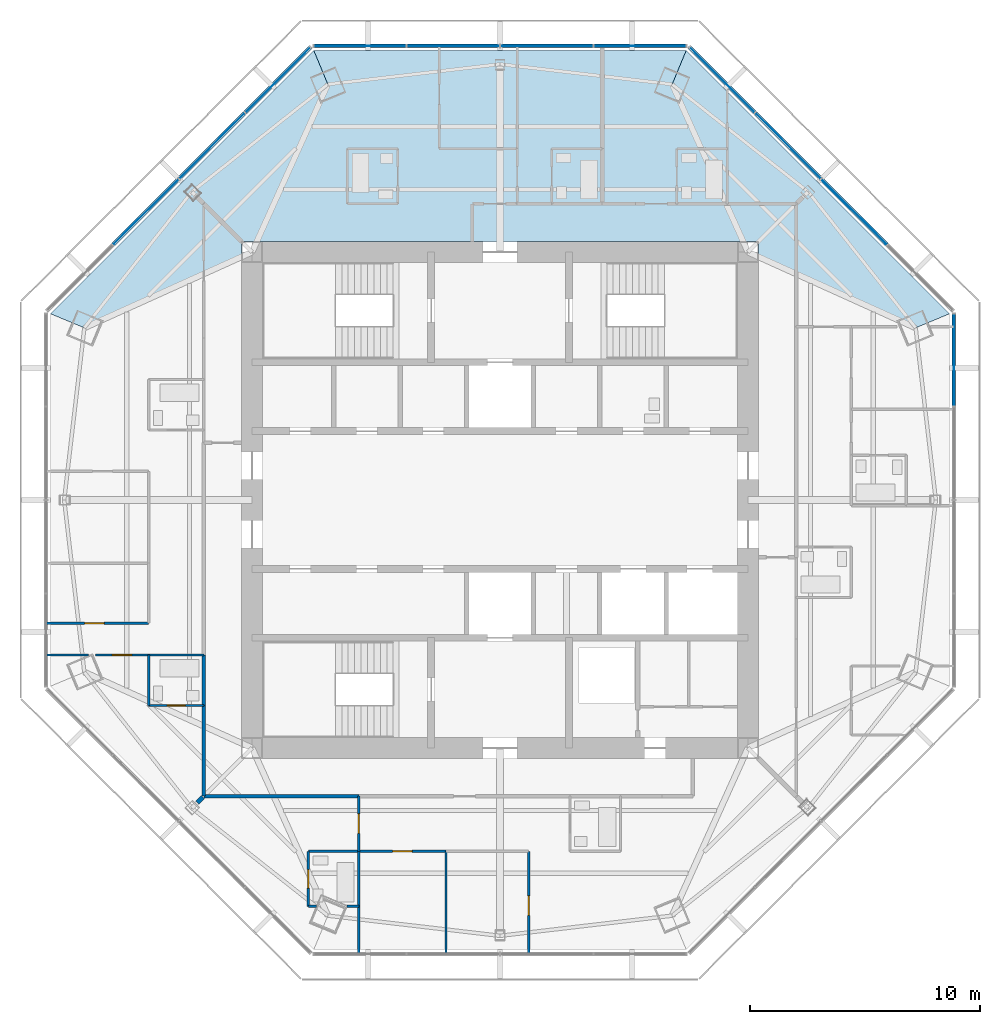
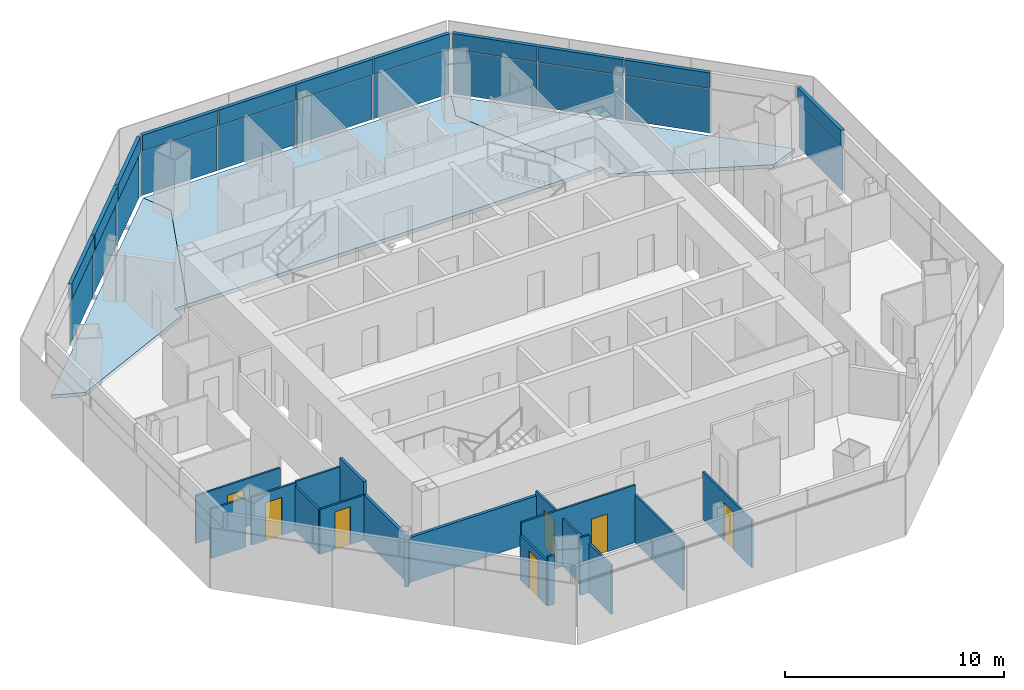
# One storey, part 8 of 15: 22 plates, 19 walls, 7 doors, 3 slabs, 7 openings, 4 elements without a shape of their own.
"""IFC4 building model written with IfcOpenShell, lengths in metres."""

from ifc_helpers import new_model, si_unit, direction, frame, frame_2d, origin, origin_2d, place, context, subcontext, project, spatial, polyline, rectangle, outline, extrude, source, transform, mapped, material, layer, layer_set, type_object, type_shapes, element, fill, aggregate, save


model = new_model("IFC4")

# Units and contexts
model_context = context("Model", 3, precision=1e-05, world=origin(), true_north=direction((0.0, 1.0)))
body_context = subcontext(model_context, "Body", "Model", "MODEL_VIEW")
ifc_project = project(units=[si_unit("LENGTHUNIT", "METRE"), si_unit("AREAUNIT", "SQUARE_METRE"), si_unit("VOLUMEUNIT", "CUBIC_METRE"), si_unit("PLANEANGLEUNIT", "RADIAN"), si_unit("MASSUNIT", "GRAM", prefix="KILO")], contexts=[model_context])

# Site, building, storey
site_placement = place(None, origin())
site = spatial("IfcSite", under=ifc_project, at=site_placement, CompositionType="ELEMENT")
building_placement = place(site_placement, origin())
building = spatial("IfcBuilding", under=site, at=building_placement, Name="Mashrafa Tower", CompositionType="ELEMENT")
storey_placement = place(building_placement, frame((0.0, 0.0, 291.199951171875)))
storey = spatial("IfcBuildingStorey", under=building, at=storey_placement, Name="L71", CompositionType="ELEMENT", Elevation=291.199951171875)

# Slabs
ifc_material_1 = material(Name="Concrete C35/45", Category="concrete")
ifc_layer_1 = layer(ifc_material_1, 0.199951171875)
ifc_layer_set_1 = layer_set([ifc_layer_1], Name="Floor slab 200")
slab_type = type_object("IfcSlabType", Name="Floor slab 200", PredefinedType="FLOOR", material=ifc_layer_set_1)
slab_1_placement = place(storey_placement, frame((0.0, 0.0, -0.199951171875)))
element("IfcSlab", 1, at=slab_1_placement, inside=storey, type_object=slab_type, Name="Floor slab L71 north-east bay", PredefinedType="FLOOR", context=body_context, shape_type="SweptSolid", body=[
    extrude(outline(polyline([(8.109130859375, 19.5771484375), (19.5771484375, 8.109130859375), (19.5771484375, 8.109130859375), (18.1044921875, 7.4990234375), (11.25, 10.5966796875), (11.25, 11.25), (10.5966796875, 11.25), (7.4990234375, 18.1044921875), (8.109130859375, 19.5771484375), (8.109130859375, 19.5771484375)])), origin(), (0.0, 0.0, 1.0), 0.199951171875),
])
slab_2_placement = place(storey_placement, frame((0.0, 0.0, -0.199951171875)))
element("IfcSlab", 2, at=slab_2_placement, inside=storey, type_object=slab_type, Name="Floor slab L71 north bay", PredefinedType="FLOOR", context=body_context, shape_type="SweptSolid", body=[
    extrude(outline(polyline([(8.109130859375, 19.5771484375), (7.4990234375, 18.1044921875), (10.5966796875, 11.25), (-10.5966796875, 11.25), (-7.4990234375, 18.1044921875), (-8.109130859375, 19.5771484375), (8.109130859375, 19.5771484375)])), origin(), (0.0, 0.0, 1.0), 0.199951171875),
])
slab_3_placement = place(storey_placement, frame((0.0, 0.0, -0.199951171875)))
element("IfcSlab", 3, at=slab_3_placement, inside=storey, type_object=slab_type, Name="Floor slab L71 north-west bay", PredefinedType="FLOOR", context=body_context, shape_type="SweptSolid", body=[
    extrude(outline(polyline([(-19.5771484375, 8.109130859375), (-8.109130859375, 19.5771484375), (-8.109130859375, 19.5771484375), (-7.4990234375, 18.1044921875), (-10.5966796875, 11.25), (-11.25, 11.25), (-11.25, 10.5966796875), (-18.1044921875, 7.4990234375), (-19.5771484375, 8.109130859375), (-19.5771484375, 8.109130859375)])), origin(), (0.0, 0.0, 1.0), 0.199951171875),
])

# Curtain wall, plate
ifc_material_2 = material(Name="Unitised aluminium curtain wall", Category="aluminium")
curtain_wall_type = type_object("IfcCurtainWallType", Name="Apartment curtain wall, zone 4 CW-D 160 deep", PredefinedType="NOTDEFINED", material=ifc_material_2)
curtain_wall_1_placement = place(storey_placement, origin())
curtain_wall_1 = element("IfcCurtainWall", 4, at=curtain_wall_1_placement, inside=storey, type_object=curtain_wall_type, Name="Apartment curtain wall, zone 4 L71 east", PredefinedType="NOTDEFINED")
ifc_material_3 = material(Name="Insulated double glazing, acoustic", Category="glass")
ifc_layer_2 = layer(ifc_material_3, 0.028076171875)
ifc_layer_set_2 = layer_set([ifc_layer_2], Name="Vision panel CW-D 28")
plate_type_1 = type_object("IfcPlateType", Name="Vision panel CW-D 28", PredefinedType="CURTAIN_PANEL", material=ifc_layer_set_2)
shared_shape_1 = source(origin(), body_context, "Body", "SweptSolid", [
    extrude(rectangle(XDim=3.984375, YDim=0.028076171875, at=origin_2d()), origin(), (0.0, 0.0, 1.0), 2.46240234375),
])
plate_1_placement = place(storey_placement, frame((19.777099609375, 6.0966796875, 0.0), z_axis=(0.0, 0.0, 1.0), x_axis=(0.0, 1.0, 0.0)))
plate_1 = element("IfcPlate", 5, at=plate_1_placement, type_object=plate_type_1, Name="CW-D vision panel 4", PredefinedType="CURTAIN_PANEL", context=body_context, shape_type="MappedRepresentation", body=[
    mapped(shared_shape_1, transform((0.0, 0.0, 0.0))),
])

curtain_wall_2_placement = place(storey_placement, origin())
curtain_wall_2 = element("IfcCurtainWall", 6, at=curtain_wall_2_placement, inside=storey, type_object=curtain_wall_type, Name="Apartment curtain wall, zone 4 L71 north-east", PredefinedType="NOTDEFINED")
plate_2_placement = place(storey_placement, frame((9.673583984375, 18.29541015625, 0.0), z_axis=(0.0, 0.0, 1.0), x_axis=(-0.707106781187, 0.707106781187, 0.0)))
plate_2 = element("IfcPlate", 7, at=plate_2_placement, type_object=plate_type_1, Name="CW-D vision panel 4", PredefinedType="CURTAIN_PANEL", context=body_context, shape_type="MappedRepresentation", body=[
    mapped(shared_shape_1, transform((0.0, 0.0, 0.0))),
])

# Curtain wall, plates
curtain_wall_3_placement = place(storey_placement, origin())
curtain_wall_3 = element("IfcCurtainWall", 8, at=curtain_wall_3_placement, inside=storey, type_object=curtain_wall_type, Name="Apartment curtain wall, zone 4 L71 north", PredefinedType="NOTDEFINED")
plate_3_placement = place(storey_placement, frame((6.0966796875, 19.777099609375, 0.0), z_axis=(0.0, 0.0, 1.0), x_axis=(-1.0, 0.0, 0.0)))
plate_3 = element("IfcPlate", 9, at=plate_3_placement, type_object=plate_type_1, Name="CW-D vision panel 1", PredefinedType="CURTAIN_PANEL", context=body_context, shape_type="MappedRepresentation", body=[
    mapped(shared_shape_1, transform((0.0, 0.0, 0.0))),
])
plate_4_placement = place(storey_placement, frame((-6.0966796875, 19.777099609375, 0.0), z_axis=(0.0, 0.0, 1.0), x_axis=(-1.0, 0.0, 0.0)))
plate_4 = element("IfcPlate", 10, at=plate_4_placement, type_object=plate_type_1, Name="CW-D vision panel 4", PredefinedType="CURTAIN_PANEL", context=body_context, shape_type="MappedRepresentation", body=[
    mapped(shared_shape_1, transform((0.0, 0.0, 0.0))),
])

# Curtain wall, plate
curtain_wall_4_placement = place(storey_placement, origin())
curtain_wall_4 = element("IfcCurtainWall", 11, at=curtain_wall_4_placement, inside=storey, type_object=curtain_wall_type, Name="Apartment curtain wall, zone 4 L71 north-west", PredefinedType="NOTDEFINED")
plate_5_placement = place(storey_placement, frame((-9.673583984375, 18.29541015625, 0.0), z_axis=(0.0, 0.0, 1.0), x_axis=(-0.707106781187, -0.707106781187, 0.0)))
plate_5 = element("IfcPlate", 12, at=plate_5_placement, type_object=plate_type_1, Name="CW-D vision panel 1", PredefinedType="CURTAIN_PANEL", context=body_context, shape_type="MappedRepresentation", body=[
    mapped(shared_shape_1, transform((0.0, 0.0, 0.0))),
])

# Plate
ifc_material_4 = material(Name="Insulated bronze aluminium spandrel panel", Category="aluminium")
ifc_layer_3 = layer(ifc_material_4, 0.179931640625)
ifc_layer_set_3 = layer_set([ifc_layer_3], Name="Spandrel panel CW-D 180")
plate_type_2 = type_object("IfcPlateType", Name="Spandrel panel CW-D 180", PredefinedType="CURTAIN_PANEL", material=ifc_layer_set_3)
shared_shape_2 = source(origin(), body_context, "Body", "SweptSolid", [
    extrude(rectangle(XDim=3.984375, YDim=0.179931640625, at=origin_2d()), origin(), (0.0, 0.0, 1.0), 0.862548828125),
])
plate_6_placement = place(storey_placement, frame((19.777099609375, 6.0966796875, 2.53759765625), z_axis=(0.0, 0.0, 1.0), x_axis=(0.0, 1.0, 0.0)))
plate_6 = element("IfcPlate", 13, at=plate_6_placement, type_object=plate_type_2, Name="CW-D spandrel panel 4", PredefinedType="CURTAIN_PANEL", context=body_context, shape_type="MappedRepresentation", body=[
    mapped(shared_shape_2, transform((0.0, 0.0, 0.0))),
])

aggregate(curtain_wall_1, [plate_1, plate_6])

plate_7_placement = place(storey_placement, frame((9.673583984375, 18.29541015625, 2.53759765625), z_axis=(0.0, 0.0, 1.0), x_axis=(-0.707106781187, 0.707106781187, 0.0)))
plate_7 = element("IfcPlate", 14, at=plate_7_placement, type_object=plate_type_2, Name="CW-D spandrel panel 4", PredefinedType="CURTAIN_PANEL", context=body_context, shape_type="MappedRepresentation", body=[
    mapped(shared_shape_2, transform((0.0, 0.0, 0.0))),
])

plate_8_placement = place(storey_placement, frame((6.0966796875, 19.777099609375, 2.53759765625), z_axis=(0.0, 0.0, 1.0), x_axis=(-1.0, 0.0, 0.0)))
plate_8 = element("IfcPlate", 15, at=plate_8_placement, type_object=plate_type_2, Name="CW-D spandrel panel 1", PredefinedType="CURTAIN_PANEL", context=body_context, shape_type="MappedRepresentation", body=[
    mapped(shared_shape_2, transform((0.0, 0.0, 0.0))),
])

plate_9_placement = place(storey_placement, frame((-6.0966796875, 19.777099609375, 2.53759765625), z_axis=(0.0, 0.0, 1.0), x_axis=(-1.0, 0.0, 0.0)))
plate_9 = element("IfcPlate", 16, at=plate_9_placement, type_object=plate_type_2, Name="CW-D spandrel panel 4", PredefinedType="CURTAIN_PANEL", context=body_context, shape_type="MappedRepresentation", body=[
    mapped(shared_shape_2, transform((0.0, 0.0, 0.0))),
])

plate_10_placement = place(storey_placement, frame((-9.673583984375, 18.29541015625, 2.53759765625), z_axis=(0.0, 0.0, 1.0), x_axis=(-0.707106781187, -0.707106781187, 0.0)))
plate_10 = element("IfcPlate", 17, at=plate_10_placement, type_object=plate_type_2, Name="CW-D spandrel panel 1", PredefinedType="CURTAIN_PANEL", context=body_context, shape_type="MappedRepresentation", body=[
    mapped(shared_shape_2, transform((0.0, 0.0, 0.0))),
])

shared_shape_3 = source(origin(), body_context, "Body", "SweptSolid", [
    extrude(rectangle(XDim=4.014404296875, YDim=0.028076171875, at=origin_2d()), origin(), (0.0, 0.0, 1.0), 2.46240234375),
])
type_shapes(plate_type_1, [shared_shape_1, shared_shape_3])
plate_11_placement = place(storey_placement, frame((15.425048828125, 12.5439453125, 0.0), z_axis=(0.0, 0.0, 1.0), x_axis=(-0.707106781187, 0.707106781187, 0.0)))
plate_11 = element("IfcPlate", 18, at=plate_11_placement, type_object=plate_type_1, Name="CW-D vision panel 2", PredefinedType="CURTAIN_PANEL", context=body_context, shape_type="MappedRepresentation", body=[
    mapped(shared_shape_3, transform((0.0, 0.0, 0.0))),
])

plate_12_placement = place(storey_placement, frame((12.5439453125, 15.425048828125, 0.0), z_axis=(0.0, 0.0, 1.0), x_axis=(-0.707106781187, 0.707106781187, 0.0)))
plate_12 = element("IfcPlate", 19, at=plate_12_placement, type_object=plate_type_1, Name="CW-D vision panel 3", PredefinedType="CURTAIN_PANEL", context=body_context, shape_type="MappedRepresentation", body=[
    mapped(shared_shape_3, transform((0.0, 0.0, 0.0))),
])

plate_13_placement = place(storey_placement, frame((2.037109375, 19.777099609375, 0.0), z_axis=(0.0, 0.0, 1.0), x_axis=(-1.0, 0.0, 0.0)))
plate_13 = element("IfcPlate", 20, at=plate_13_placement, type_object=plate_type_1, Name="CW-D vision panel 2", PredefinedType="CURTAIN_PANEL", context=body_context, shape_type="MappedRepresentation", body=[
    mapped(shared_shape_3, transform((0.0, 0.0, 0.0))),
])

plate_14_placement = place(storey_placement, frame((-2.037109375, 19.777099609375, 0.0), z_axis=(0.0, 0.0, 1.0), x_axis=(-1.0, 0.0, 0.0)))
plate_14 = element("IfcPlate", 21, at=plate_14_placement, type_object=plate_type_1, Name="CW-D vision panel 3", PredefinedType="CURTAIN_PANEL", context=body_context, shape_type="MappedRepresentation", body=[
    mapped(shared_shape_3, transform((0.0, 0.0, 0.0))),
])

plate_15_placement = place(storey_placement, frame((-12.5439453125, 15.425048828125, 0.0), z_axis=(0.0, 0.0, 1.0), x_axis=(-0.707106781187, -0.707106781187, 0.0)))
plate_15 = element("IfcPlate", 22, at=plate_15_placement, type_object=plate_type_1, Name="CW-D vision panel 2", PredefinedType="CURTAIN_PANEL", context=body_context, shape_type="MappedRepresentation", body=[
    mapped(shared_shape_3, transform((0.0, 0.0, 0.0))),
])

plate_16_placement = place(storey_placement, frame((-15.425048828125, 12.5439453125, 0.0), z_axis=(0.0, 0.0, 1.0), x_axis=(-0.707106781187, -0.707106781187, 0.0)))
plate_16 = element("IfcPlate", 23, at=plate_16_placement, type_object=plate_type_1, Name="CW-D vision panel 3", PredefinedType="CURTAIN_PANEL", context=body_context, shape_type="MappedRepresentation", body=[
    mapped(shared_shape_3, transform((0.0, 0.0, 0.0))),
])

shared_shape_4 = source(origin(), body_context, "Body", "SweptSolid", [
    extrude(rectangle(XDim=4.014404296875, YDim=0.179931640625, at=origin_2d()), origin(), (0.0, 0.0, 1.0), 0.862548828125),
])
type_shapes(plate_type_2, [shared_shape_2, shared_shape_4])
plate_17_placement = place(storey_placement, frame((15.425048828125, 12.5439453125, 2.53759765625), z_axis=(0.0, 0.0, 1.0), x_axis=(-0.707106781187, 0.707106781187, 0.0)))
plate_17 = element("IfcPlate", 24, at=plate_17_placement, type_object=plate_type_2, Name="CW-D spandrel panel 2", PredefinedType="CURTAIN_PANEL", context=body_context, shape_type="MappedRepresentation", body=[
    mapped(shared_shape_4, transform((0.0, 0.0, 0.0))),
])

plate_18_placement = place(storey_placement, frame((12.5439453125, 15.425048828125, 2.53759765625), z_axis=(0.0, 0.0, 1.0), x_axis=(-0.707106781187, 0.707106781187, 0.0)))
plate_18 = element("IfcPlate", 25, at=plate_18_placement, type_object=plate_type_2, Name="CW-D spandrel panel 3", PredefinedType="CURTAIN_PANEL", context=body_context, shape_type="MappedRepresentation", body=[
    mapped(shared_shape_4, transform((0.0, 0.0, 0.0))),
])

aggregate(curtain_wall_2, [plate_11, plate_17, plate_12, plate_18, plate_2, plate_7])

plate_19_placement = place(storey_placement, frame((2.037109375, 19.777099609375, 2.53759765625), z_axis=(0.0, 0.0, 1.0), x_axis=(-1.0, 0.0, 0.0)))
plate_19 = element("IfcPlate", 26, at=plate_19_placement, type_object=plate_type_2, Name="CW-D spandrel panel 2", PredefinedType="CURTAIN_PANEL", context=body_context, shape_type="MappedRepresentation", body=[
    mapped(shared_shape_4, transform((0.0, 0.0, 0.0))),
])

plate_20_placement = place(storey_placement, frame((-2.037109375, 19.777099609375, 2.53759765625), z_axis=(0.0, 0.0, 1.0), x_axis=(-1.0, 0.0, 0.0)))
plate_20 = element("IfcPlate", 27, at=plate_20_placement, type_object=plate_type_2, Name="CW-D spandrel panel 3", PredefinedType="CURTAIN_PANEL", context=body_context, shape_type="MappedRepresentation", body=[
    mapped(shared_shape_4, transform((0.0, 0.0, 0.0))),
])

aggregate(curtain_wall_3, [plate_3, plate_8, plate_13, plate_19, plate_14, plate_20, plate_4, plate_9])

plate_21_placement = place(storey_placement, frame((-12.5439453125, 15.425048828125, 2.53759765625), z_axis=(0.0, 0.0, 1.0), x_axis=(-0.707106781187, -0.707106781187, 0.0)))
plate_21 = element("IfcPlate", 28, at=plate_21_placement, type_object=plate_type_2, Name="CW-D spandrel panel 2", PredefinedType="CURTAIN_PANEL", context=body_context, shape_type="MappedRepresentation", body=[
    mapped(shared_shape_4, transform((0.0, 0.0, 0.0))),
])

plate_22_placement = place(storey_placement, frame((-15.425048828125, 12.5439453125, 2.53759765625), z_axis=(0.0, 0.0, 1.0), x_axis=(-0.707106781187, -0.707106781187, 0.0)))
plate_22 = element("IfcPlate", 29, at=plate_22_placement, type_object=plate_type_2, Name="CW-D spandrel panel 3", PredefinedType="CURTAIN_PANEL", context=body_context, shape_type="MappedRepresentation", body=[
    mapped(shared_shape_4, transform((0.0, 0.0, 0.0))),
])

aggregate(curtain_wall_4, [plate_5, plate_10, plate_15, plate_21, plate_16, plate_22])

# Walls
ifc_material_5 = material(Name="Gypsum board on steel studs", Category="steel")
ifc_layer_4 = layer(ifc_material_5, 0.199951171875)
ifc_layer_set_4 = layer_set([ifc_layer_4], Name="Acoustic partition 200 1 hr")
wall_type_1 = type_object("IfcWallType", Name="Acoustic partition 200 1 hr", PredefinedType="PARTITIONING", material=ifc_layer_set_4)
wall_1_placement = place(storey_placement, frame((-13.17822265625, -13.17822265625, 0.0), z_axis=(0.0, 0.0, 1.0), x_axis=(0.707106781187, 0.707106781187, 0.0)))
element("IfcWall", 30, at=wall_1_placement, inside=storey, type_object=wall_type_1, Name="Acoustic wall L71-079", PredefinedType="PARTITIONING", context=body_context, shape_type="SweptSolid", body=[
    extrude(rectangle(XDim=0.34033203125, YDim=0.199951171875, at=frame_2d((0.170166015625, 0.0))), origin(), (0.0, 0.0, 1.0), 2.590576171875),
])
ifc_material_6 = material(Name="Gypsum board on steel studs", Category="steel")
ifc_layer_5 = layer(ifc_material_6, 0.14990234375)
ifc_layer_set_5 = layer_set([ifc_layer_5], Name="Corridor partition 150 1 hr")
wall_type_2 = type_object("IfcWallType", Name="Corridor partition 150 1 hr", PredefinedType="PARTITIONING", material=ifc_layer_set_5)
wall_2_placement = place(storey_placement, frame((-12.89990234375, -6.7490234375, 0.0), z_axis=(0.0, 0.0, 1.0), x_axis=(0.0, -1.0, 0.0)))
element("IfcWall", 31, at=wall_2_placement, inside=storey, type_object=wall_type_2, Name="Corridor wall L71-013", PredefinedType="PARTITIONING", context=body_context, shape_type="SweptSolid", body=[
    extrude(rectangle(XDim=2.201904296875, YDim=0.14990234375, at=frame_2d((1.10107421875, 0.0))), origin(), (0.0, 0.0, 1.0), 3.199951171875),
])
wall_3_placement = place(storey_placement, frame((-12.89990234375, -8.948974609375, 0.0), z_axis=(0.0, 0.0, 1.0), x_axis=(0.0, -1.0, 0.0)))
element("IfcWall", 32, at=wall_3_placement, inside=storey, type_object=wall_type_2, Name="Corridor wall L71-014", PredefinedType="PARTITIONING", context=body_context, shape_type="SweptSolid", body=[
    extrude(rectangle(XDim=3.950927734375, YDim=0.14990234375, at=frame_2d((1.9755859375, 0.0))), origin(), (0.0, 0.0, 1.0), 2.49658203125),
])
wall_4_placement = place(storey_placement, frame((-12.89990234375, -12.89990234375, 0.0), z_axis=(0.0, 0.0, 1.0), x_axis=(1.0, 0.0, 0.0)))
element("IfcWall", 33, at=wall_4_placement, inside=storey, type_object=wall_type_2, Name="Corridor wall L71-018", PredefinedType="PARTITIONING", context=body_context, shape_type="SweptSolid", body=[
    extrude(rectangle(XDim=6.7509765625, YDim=0.14990234375, at=frame_2d((3.37548828125, 0.0))), origin(), (0.0, 0.0, 1.0), 2.49658203125),
])

# Wall, opening, door
ifc_material_7 = material(Name="Gypsum board on steel studs", Category="steel")
ifc_layer_6 = layer(ifc_material_7, 0.10009765625)
ifc_layer_set_6 = layer_set([ifc_layer_6], Name="Partition 100")
wall_type_3 = type_object("IfcWallType", Name="Partition 100", PredefinedType="PARTITIONING", material=ifc_layer_set_6)
wall_5_placement = place(storey_placement, frame((-19.760986328125, -5.367431640625, 0.0), z_axis=(0.0, 0.0, 1.0), x_axis=(1.0, 0.0, 0.0)))
wall_5 = element("IfcWall", 34, at=wall_5_placement, inside=storey, type_object=wall_type_3, Name="Partition wall L71-028", PredefinedType="PARTITIONING", context=body_context, shape_type="SweptSolid", body=[
    extrude(rectangle(XDim=4.4609375, YDim=0.10009765625, at=frame_2d((2.23046875, 0.0))), origin(), (0.0, 0.0, 1.0), 2.661865234375),
])
opening_1_placement = place(wall_5_placement, frame((1.66748046875, 0.0, 0.0)))
opening_1 = element("IfcOpeningElement", 35, at=opening_1_placement, cuts=wall_5, Name="Opening 71.002", PredefinedType="OPENING", context=body_context, shape_type="SweptSolid", body=[
    extrude(rectangle(XDim=0.85009765625, YDim=2.10009765625, at=frame_2d((0.425048828125, 1.050048828125))), frame((0.0, 0.06005859375, 0.0), z_axis=(0.0, -1.0, 0.0), x_axis=(1.0, 0.0, 0.0)), (0.0, 0.0, 1.0), 0.1201171875),
])
ifc_material_8 = material(Name="Timber door", Category="wood")
door_type_1 = type_object("IfcDoorType", Name="Bedroom door 850 x 2100", OperationType="USERDEFINED", PredefinedType="DOOR", material=ifc_material_8)
door_1_placement = place(opening_1_placement, origin())
door_1 = element("IfcDoor", 36, at=door_1_placement, inside=storey, type_object=door_type_1, Name="Apartment 7104 Dining Room door", OperationType="SINGLE_SWING_LEFT", OverallHeight=2.10009765625, OverallWidth=0.85009765625, PredefinedType="DOOR", context=body_context, shape_type="SweptSolid", body=[
    extrude(rectangle(XDim=0.85009765625, YDim=2.10009765625, at=frame_2d((0.425048828125, 1.050048828125))), frame((0.0, 0.02490234375, 0.0), z_axis=(0.0, -1.0, 0.0), x_axis=(1.0, 0.0, 0.0)), (0.0, 0.0, 1.0), 0.050048828125),
])
fill(opening_1, door_1)

# Wall
wall_6_placement = place(storey_placement, frame((-15.300048828125, -6.75, 0.0), z_axis=(0.0, 0.0, 1.0), x_axis=(0.0, -1.0, 0.0)))
element("IfcWall", 37, at=wall_6_placement, inside=storey, type_object=wall_type_3, Name="Partition wall L71-074", PredefinedType="PARTITIONING", context=body_context, shape_type="SweptSolid", body=[
    extrude(rectangle(XDim=2.199951171875, YDim=0.10009765625, at=frame_2d((1.10009765625, 0.0))), origin(), (0.0, 0.0, 1.0), 2.49658203125),
])

# Wall, opening, door
wall_7_placement = place(storey_placement, frame((-15.300048828125, -8.949951171875, 0.0), z_axis=(0.0, 0.0, 1.0), x_axis=(1.0, 0.0, 0.0)))
wall_7 = element("IfcWall", 38, at=wall_7_placement, inside=storey, type_object=wall_type_3, Name="Partition wall L71-075", PredefinedType="PARTITIONING", context=body_context, shape_type="SweptSolid", body=[
    extrude(rectangle(XDim=2.400146484375, YDim=0.10009765625, at=frame_2d((1.2001953125, 0.0))), origin(), (0.0, 0.0, 1.0), 2.49658203125),
])
opening_2_placement = place(wall_7_placement, frame((0.800048828125, 0.0, 0.0)))
opening_2 = element("IfcOpeningElement", 39, at=opening_2_placement, cuts=wall_7, Name="Opening 71.019", PredefinedType="OPENING", context=body_context, shape_type="SweptSolid", body=[
    extrude(rectangle(XDim=0.800048828125, YDim=2.10009765625, at=frame_2d((0.39990234375, 1.050048828125))), frame((0.0, 0.06005859375, 0.0), z_axis=(0.0, -1.0, 0.0), x_axis=(1.0, 0.0, 0.0)), (0.0, 0.0, 1.0), 0.1201171875),
])
ifc_material_9 = material(Name="Timber door", Category="wood")
door_type_2 = type_object("IfcDoorType", Name="Bathroom door 800 x 2100", OperationType="USERDEFINED", PredefinedType="DOOR", material=ifc_material_9)
door_2_placement = place(opening_2_placement, origin())
door_2 = element("IfcDoor", 40, at=door_2_placement, inside=storey, type_object=door_type_2, Name="Apartment 7104 En-suite Bathroom door", OperationType="SINGLE_SWING_LEFT", OverallHeight=2.10009765625, OverallWidth=0.800048828125, PredefinedType="DOOR", context=body_context, shape_type="SweptSolid", body=[
    extrude(rectangle(XDim=0.800048828125, YDim=2.10009765625, at=frame_2d((0.39990234375, 1.050048828125))), frame((0.0, 0.02490234375, 0.0), z_axis=(0.0, -1.0, 0.0), x_axis=(1.0, 0.0, 0.0)), (0.0, 0.0, 1.0), 0.050048828125),
])
fill(opening_2, door_2)

# Wall
wall_8_placement = place(storey_placement, frame((-12.89990234375, -6.75, 0.0), z_axis=(0.0, 0.0, 1.0), x_axis=(-1.0, 0.0, 0.0)))
element("IfcWall", 41, at=wall_8_placement, inside=storey, type_object=wall_type_3, Name="Partition wall L71-076", PredefinedType="PARTITIONING", context=body_context, shape_type="SweptSolid", body=[
    extrude(rectangle(XDim=2.400146484375, YDim=0.10009765625, at=frame_2d((1.2001953125, 0.0))), origin(), (0.0, 0.0, 1.0), 2.73046875),
])

# Wall, opening, door
wall_9_placement = place(storey_placement, frame((-15.300048828125, -6.75, 0.0), z_axis=(0.0, 0.0, 1.0), x_axis=(-1.0, 0.0, 0.0)))
wall_9 = element("IfcWall", 42, at=wall_9_placement, inside=storey, type_object=wall_type_3, Name="Partition wall L71-077", PredefinedType="PARTITIONING", context=body_context, shape_type="SweptSolid", body=[
    extrude(rectangle(XDim=2.3251953125, YDim=0.10009765625, at=frame_2d((1.16259765625, 0.0))), origin(), (0.0, 0.0, 1.0), 2.661865234375),
])
opening_3_placement = place(wall_9_placement, frame((0.737548828125, 0.0, 0.0)))
opening_3 = element("IfcOpeningElement", 43, at=opening_3_placement, cuts=wall_9, Name="Opening 71.020", PredefinedType="OPENING", context=body_context, shape_type="SweptSolid", body=[
    extrude(rectangle(XDim=0.85009765625, YDim=2.10009765625, at=frame_2d((0.425048828125, 1.050048828125))), frame((0.0, 0.06005859375, 0.0), z_axis=(0.0, -1.0, 0.0), x_axis=(1.0, 0.0, 0.0)), (0.0, 0.0, 1.0), 0.1201171875),
])
door_3_placement = place(opening_3_placement, origin())
door_3 = element("IfcDoor", 44, at=door_3_placement, inside=storey, type_object=door_type_1, Name="Apartment 7104 Bedroom 2 door", OperationType="SINGLE_SWING_LEFT", OverallHeight=2.10009765625, OverallWidth=0.85009765625, PredefinedType="DOOR", context=body_context, shape_type="SweptSolid", body=[
    extrude(rectangle(XDim=0.85009765625, YDim=2.10009765625, at=frame_2d((0.425048828125, 1.050048828125))), frame((0.0, 0.02490234375, 0.0), z_axis=(0.0, -1.0, 0.0), x_axis=(1.0, 0.0, 0.0)), (0.0, 0.0, 1.0), 0.050048828125),
])
fill(opening_3, door_3)

# Walls
wall_10_placement = place(storey_placement, frame((-17.91357421875, -6.75, 0.0), z_axis=(0.0, 0.0, 1.0), x_axis=(-1.0, 0.0, 0.0)))
element("IfcWall", 45, at=wall_10_placement, inside=storey, type_object=wall_type_3, Name="Partition wall L71-078", PredefinedType="PARTITIONING", context=body_context, shape_type="SweptSolid", body=[
    extrude(rectangle(XDim=1.845458984375, YDim=0.10009765625, at=frame_2d((0.9228515625, 0.0))), origin(), (0.0, 0.0, 1.0), 2.740478515625),
])
wall_11_placement = place(storey_placement, frame((-2.35009765625, -15.300048828125, 0.0), z_axis=(0.0, 0.0, 1.0), x_axis=(0.0, -1.0, 0.0)))
element("IfcWall", 46, at=wall_11_placement, inside=storey, type_object=wall_type_3, Name="Partition wall L71-085", PredefinedType="PARTITIONING", context=body_context, shape_type="SweptSolid", body=[
    extrude(rectangle(XDim=4.458984375, YDim=0.10009765625, at=frame_2d((2.2294921875, 0.0))), origin(), (0.0, 0.0, 1.0), 2.661865234375),
])

# Wall, opening, door
wall_12_placement = place(storey_placement, frame((1.25, -19.760986328125, 0.0), z_axis=(0.0, 0.0, 1.0), x_axis=(0.0, 1.0, 0.0)))
wall_12 = element("IfcWall", 47, at=wall_12_placement, inside=storey, type_object=wall_type_3, Name="Partition wall L71-086", PredefinedType="PARTITIONING", context=body_context, shape_type="SweptSolid", body=[
    extrude(rectangle(XDim=4.4609375, YDim=0.10009765625, at=frame_2d((2.23046875, 0.0))), origin(), (0.0, 0.0, 1.0), 2.661865234375),
])
opening_4_placement = place(wall_12_placement, frame((1.66748046875, 0.0, 0.0)))
opening_4 = element("IfcOpeningElement", 48, at=opening_4_placement, cuts=wall_12, Name="Opening 71.023", PredefinedType="OPENING", context=body_context, shape_type="SweptSolid", body=[
    extrude(rectangle(XDim=0.85009765625, YDim=2.10009765625, at=frame_2d((0.425048828125, 1.050048828125))), frame((0.0, 0.06005859375, 0.0), z_axis=(0.0, -1.0, 0.0), x_axis=(1.0, 0.0, 0.0)), (0.0, 0.0, 1.0), 0.1201171875),
])
door_4_placement = place(opening_4_placement, origin())
door_4 = element("IfcDoor", 49, at=door_4_placement, inside=storey, type_object=door_type_1, Name="Apartment 7105 Majlis door", OperationType="SINGLE_SWING_LEFT", OverallHeight=2.10009765625, OverallWidth=0.85009765625, PredefinedType="DOOR", context=body_context, shape_type="SweptSolid", body=[
    extrude(rectangle(XDim=0.85009765625, YDim=2.10009765625, at=frame_2d((0.425048828125, 1.050048828125))), frame((0.0, 0.02490234375, 0.0), z_axis=(0.0, -1.0, 0.0), x_axis=(1.0, 0.0, 0.0)), (0.0, 0.0, 1.0), 0.050048828125),
])
fill(opening_4, door_4)

# Walls
wall_13_placement = place(storey_placement, frame((-6.14990234375, -15.300048828125, 0.0), z_axis=(0.0, 0.0, 1.0), x_axis=(0.0, -1.0, 0.0)))
element("IfcWall", 50, at=wall_13_placement, inside=storey, type_object=wall_type_3, Name="Partition wall L71-088", PredefinedType="PARTITIONING", context=body_context, shape_type="SweptSolid", body=[
    extrude(rectangle(XDim=2.40087890625, YDim=0.10009765625, at=frame_2d((1.200439453125, 0.0))), origin(), (0.0, 0.0, 1.0), 2.661865234375),
])
wall_14_placement = place(storey_placement, frame((-6.14990234375, -17.698974609375, 0.0), z_axis=(0.0, 0.0, 1.0), x_axis=(0.0, -1.0, 0.0)))
element("IfcWall", 51, at=wall_14_placement, inside=storey, type_object=wall_type_3, Name="Partition wall L71-089", PredefinedType="PARTITIONING", context=body_context, shape_type="SweptSolid", body=[
    extrude(rectangle(XDim=2.06005859375, YDim=0.10009765625, at=frame_2d((1.030029296875, 0.0))), origin(), (0.0, 0.0, 1.0), 2.740478515625),
])

# Wall, opening, door
wall_15_placement = place(storey_placement, frame((-2.35009765625, -15.300048828125, 0.0), z_axis=(0.0, 0.0, 1.0), x_axis=(-1.0, 0.0, 0.0)))
wall_15 = element("IfcWall", 52, at=wall_15_placement, inside=storey, type_object=wall_type_3, Name="Partition wall L71-090", PredefinedType="PARTITIONING", context=body_context, shape_type="SweptSolid", body=[
    extrude(rectangle(XDim=6.0, YDim=0.10009765625, at=frame_2d((3.0, 0.0))), origin(), (0.0, 0.0, 1.0), 3.199951171875),
])
opening_5_placement = place(wall_15_placement, frame((1.47509765625, 0.0, 0.0)))
opening_5 = element("IfcOpeningElement", 53, at=opening_5_placement, cuts=wall_15, Name="Opening 71.024", PredefinedType="OPENING", context=body_context, shape_type="SweptSolid", body=[
    extrude(rectangle(XDim=0.85009765625, YDim=2.10009765625, at=frame_2d((0.425048828125, 1.050048828125))), frame((0.0, 0.06005859375, 0.0), z_axis=(0.0, -1.0, 0.0), x_axis=(1.0, 0.0, 0.0)), (0.0, 0.0, 1.0), 0.1201171875),
])
door_5_placement = place(opening_5_placement, origin())
door_5 = element("IfcDoor", 54, at=door_5_placement, inside=storey, type_object=door_type_1, Name="Apartment 7105 Bedroom 1 door", OperationType="SINGLE_SWING_LEFT", OverallHeight=2.10009765625, OverallWidth=0.85009765625, PredefinedType="DOOR", context=body_context, shape_type="SweptSolid", body=[
    extrude(rectangle(XDim=0.85009765625, YDim=2.10009765625, at=frame_2d((0.425048828125, 1.050048828125))), frame((0.0, 0.02490234375, 0.0), z_axis=(0.0, -1.0, 0.0), x_axis=(1.0, 0.0, 0.0)), (0.0, 0.0, 1.0), 0.050048828125),
])
fill(opening_5, door_5)

wall_16_placement = place(storey_placement, frame((-8.35009765625, -15.300048828125, 0.0), z_axis=(0.0, 0.0, 1.0), x_axis=(0.0, -1.0, 0.0)))
wall_16 = element("IfcWall", 55, at=wall_16_placement, inside=storey, type_object=wall_type_3, Name="Partition wall L71-092", PredefinedType="PARTITIONING", context=body_context, shape_type="SweptSolid", body=[
    extrude(rectangle(XDim=2.39990234375, YDim=0.10009765625, at=frame_2d((1.199951171875, 0.0))), origin(), (0.0, 0.0, 1.0), 2.49658203125),
])
opening_6_placement = place(wall_16_placement, frame((0.800048828125, 0.0, 0.0)))
opening_6 = element("IfcOpeningElement", 56, at=opening_6_placement, cuts=wall_16, Name="Opening 71.025", PredefinedType="OPENING", context=body_context, shape_type="SweptSolid", body=[
    extrude(rectangle(XDim=0.800048828125, YDim=2.10009765625, at=frame_2d((0.39990234375, 1.050048828125))), frame((0.0, 0.06005859375, 0.0), z_axis=(0.0, -1.0, 0.0), x_axis=(1.0, 0.0, 0.0)), (0.0, 0.0, 1.0), 0.1201171875),
])
door_6_placement = place(opening_6_placement, origin())
door_6 = element("IfcDoor", 57, at=door_6_placement, inside=storey, type_object=door_type_2, Name="Apartment 7105 En-suite Bathroom door", OperationType="SINGLE_SWING_RIGHT", OverallHeight=2.10009765625, OverallWidth=0.800048828125, PredefinedType="DOOR", context=body_context, shape_type="SweptSolid", body=[
    extrude(rectangle(XDim=0.800048828125, YDim=2.10009765625, at=frame_2d((0.39990234375, 1.050048828125))), frame((0.0, 0.02490234375, 0.0), z_axis=(0.0, -1.0, 0.0), x_axis=(1.0, 0.0, 0.0)), (0.0, 0.0, 1.0), 0.050048828125),
])
fill(opening_6, door_6)

# Walls
wall_17_placement = place(storey_placement, frame((-8.35009765625, -17.699951171875, 0.0), z_axis=(0.0, 0.0, 1.0), x_axis=(1.0, 0.0, 0.0)))
element("IfcWall", 58, at=wall_17_placement, inside=storey, type_object=wall_type_3, Name="Partition wall L71-093", PredefinedType="PARTITIONING", context=body_context, shape_type="SweptSolid", body=[
    extrude(rectangle(XDim=0.348388671875, YDim=0.10009765625, at=frame_2d((0.17431640625, 0.0))), origin(), (0.0, 0.0, 1.0), 2.740478515625),
])
wall_18_placement = place(storey_placement, frame((-6.66162109375, -17.699951171875, 0.0), z_axis=(0.0, 0.0, 1.0), x_axis=(1.0, 0.0, 0.0)))
element("IfcWall", 59, at=wall_18_placement, inside=storey, type_object=wall_type_3, Name="Partition wall L71-094", PredefinedType="PARTITIONING", context=body_context, shape_type="SweptSolid", body=[
    extrude(rectangle(XDim=0.51171875, YDim=0.10009765625, at=frame_2d((0.255859375, 0.0))), origin(), (0.0, 0.0, 1.0), 3.199951171875),
])

# Wall, opening, door
wall_19_placement = place(storey_placement, frame((-6.14990234375, -15.300048828125, 0.0), z_axis=(0.0, 0.0, 1.0), x_axis=(0.0, 1.0, 0.0)))
wall_19 = element("IfcWall", 60, at=wall_19_placement, inside=storey, type_object=wall_type_3, Name="Partition wall L71-095", PredefinedType="PARTITIONING", context=body_context, shape_type="SweptSolid", body=[
    extrude(rectangle(XDim=2.400146484375, YDim=0.10009765625, at=frame_2d((1.2001953125, 0.0))), origin(), (0.0, 0.0, 1.0), 2.73046875),
])
opening_7_placement = place(wall_19_placement, frame((0.77490234375, 0.0, 0.0)))
opening_7 = element("IfcOpeningElement", 61, at=opening_7_placement, cuts=wall_19, Name="Opening 71.026", PredefinedType="OPENING", context=body_context, shape_type="SweptSolid", body=[
    extrude(rectangle(XDim=0.85009765625, YDim=2.10009765625, at=frame_2d((0.425048828125, 1.050048828125))), frame((0.0, 0.06005859375, 0.0), z_axis=(0.0, -1.0, 0.0), x_axis=(1.0, 0.0, 0.0)), (0.0, 0.0, 1.0), 0.1201171875),
])
door_7_placement = place(opening_7_placement, origin())
door_7 = element("IfcDoor", 62, at=door_7_placement, inside=storey, type_object=door_type_1, Name="Apartment 7105 Bedroom 2 door", OperationType="SINGLE_SWING_RIGHT", OverallHeight=2.10009765625, OverallWidth=0.85009765625, PredefinedType="DOOR", context=body_context, shape_type="SweptSolid", body=[
    extrude(rectangle(XDim=0.85009765625, YDim=2.10009765625, at=frame_2d((0.425048828125, 1.050048828125))), frame((0.0, 0.02490234375, 0.0), z_axis=(0.0, -1.0, 0.0), x_axis=(1.0, 0.0, 0.0)), (0.0, 0.0, 1.0), 0.050048828125),
])
fill(opening_7, door_7)

save(model, "model.ifc")
